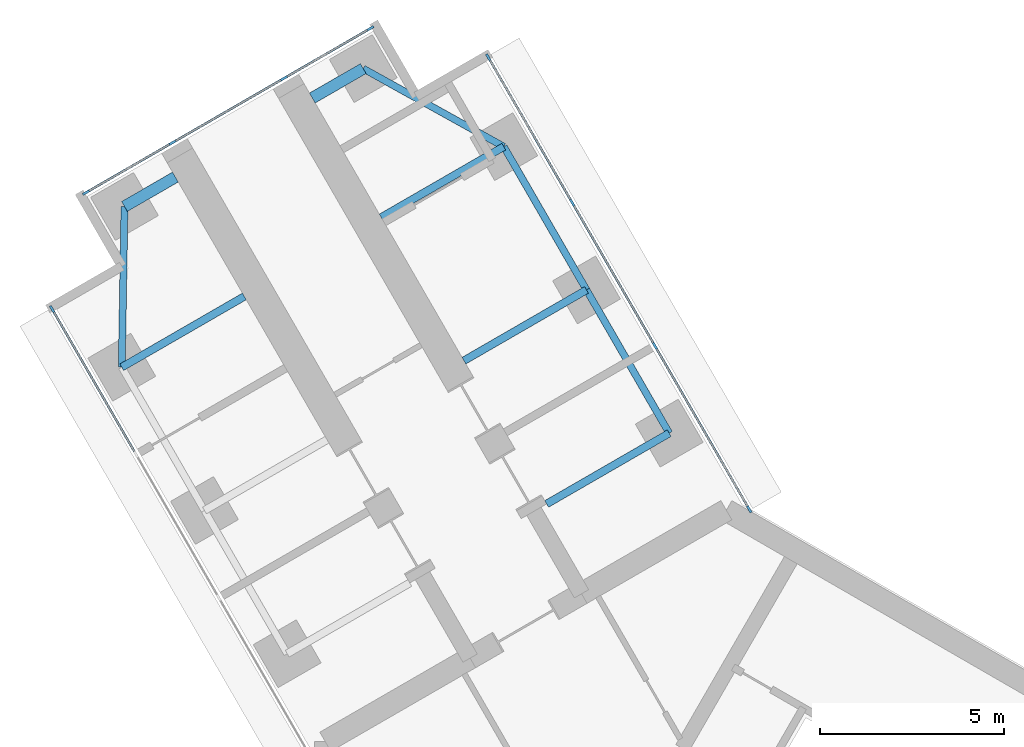
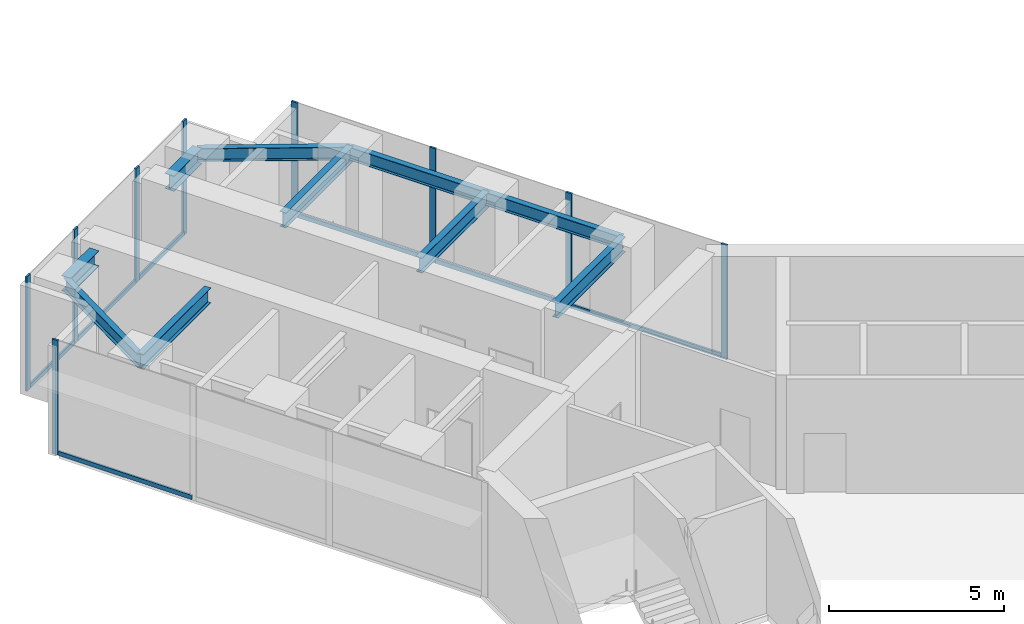
# One storey, part 6 of 21: 16 members, 10 beams, 3 elements without a shape of their own.
"""IFC4 building model written with IfcOpenShell, lengths in metres."""

import ifcopenshell
import ifcopenshell.guid

model = None  # the IFC model being written
_history = None  # IfcOwnerHistory: only IFC2X3 demands one
_inside = {}  # id of a spatial element -> (the spatial element, [elements in it])
_under = {}  # id of a project, library or spatial element -> (it, [spatial elements below it])
_declared = {}  # id of a project -> (the project, [libraries it declares])
_typed = {}  # id of a type object -> (the type object, [elements of that type])
_made_of = {}  # id of a material, layer set ... -> (it, [elements and type objects made of it])


def new_model(schema):
    """Start an empty IFC model of exactly this schema.

    Asked for "IFC4X3", IfcOpenShell would pick the latest addendum, in which some entities
    have other attributes; the version numbers below select the first issue.
    IFC2X3 requires an IfcOwnerHistory on every rooted entity: one is made here for all.
    """
    global model, _history
    if schema == "IFC4X3":
        model = ifcopenshell.file(schema_version=(4, 3, 0, 0))
    else:
        model = ifcopenshell.file(schema=schema)
    _inside.clear()
    _under.clear()
    _declared.clear()
    _typed.clear()
    _made_of.clear()
    _history = None
    if model.schema == "IFC2X3":
        org = make("IfcOrganization", Name="unknown")
        user = make(
            "IfcPersonAndOrganization",
            ThePerson=make("IfcPerson", FamilyName="unknown"),
            TheOrganization=org,
        )
        app = make(
            "IfcApplication",
            ApplicationDeveloper=org,
            Version="unknown",
            ApplicationFullName="unknown",
            ApplicationIdentifier="unknown",
        )
        _history = make(
            "IfcOwnerHistory",
            OwningUser=user,
            OwningApplication=app,
            ChangeAction="ADDED",
            CreationDate=0,
        )
    return model


def make(cls, **values):
    """One entity of the class cls with the attributes given. An attribute that is None is left unset."""
    return model.create_entity(
        cls, **{name: value for name, value in values.items() if value is not None}
    )


def rooted(cls, **values):
    """An entity with a GlobalId (a new one), such as an element, a storey or a relation."""
    return make(cls, GlobalId=ifcopenshell.guid.new(), OwnerHistory=_history, **values)


def si_unit(unit_type, name, prefix=None):
    """IfcSIUnit, for example si_unit("LENGTHUNIT", "METRE", prefix="MILLI")."""
    return make("IfcSIUnit", UnitType=unit_type, Prefix=prefix, Name=name)


def assignment(units):
    """IfcUnitAssignment: the units of a project."""
    return None if units is None else make("IfcUnitAssignment", Units=units)


def point(xyz):
    """IfcCartesianPoint."""
    return None if xyz is None else make("IfcCartesianPoint", Coordinates=xyz)


def direction(xyz):
    """IfcDirection."""
    return None if xyz is None else make("IfcDirection", DirectionRatios=xyz)


def frame(location, z_axis=None, x_axis=None):
    """IfcAxis2Placement3D, a coordinate frame: its origin and axes. An axis left out is left unset."""
    return make(
        "IfcAxis2Placement3D",
        Location=point(location),
        Axis=direction(z_axis),
        RefDirection=direction(x_axis),
    )


def frame_2d(location, x_axis=None):
    """IfcAxis2Placement2D, a coordinate frame in the plane: its origin and x axis."""
    return make(
        "IfcAxis2Placement2D", Location=point(location), RefDirection=direction(x_axis)
    )


def origin():
    """The frame at (0, 0, 0) with its axes left unset."""
    return frame((0.0, 0.0, 0.0))


def origin_2d():
    """The frame at (0, 0) in the plane with its x axis left unset."""
    return frame_2d((0.0, 0.0))


def place(relative_to, where):
    """IfcLocalPlacement: puts the frame where relative to a parent placement (None: the world)."""
    return make(
        "IfcLocalPlacement", PlacementRelTo=relative_to, RelativePlacement=where
    )


def context(
    kind, dimensions, precision=None, world=None, true_north=None, identifier=None
):
    """IfcGeometricRepresentationContext, for example the 3D "Model" context."""
    return make(
        "IfcGeometricRepresentationContext",
        ContextIdentifier=identifier,
        ContextType=kind,
        CoordinateSpaceDimension=dimensions,
        Precision=precision,
        WorldCoordinateSystem=world,
        TrueNorth=true_north,
    )


def subcontext(parent, identifier, kind, view, scale=None):
    """IfcGeometricRepresentationSubContext, for example "Body" below "Model"."""
    return make(
        "IfcGeometricRepresentationSubContext",
        ContextIdentifier=identifier,
        ContextType=kind,
        ParentContext=parent,
        TargetScale=scale,
        TargetView=view,
    )


def project(units=None, contexts=None):
    """IfcProject with its units and contexts."""
    return rooted(
        "IfcProject",
        Name="project",
        RepresentationContexts=contexts,
        UnitsInContext=assignment(units),
    )


def spatial(cls, under=None, at=None, **own):
    """A site, building, storey or space (cls), placed at a placement, below another one or the project."""
    s = rooted(cls, ObjectPlacement=at, **own)
    if under is not None:
        _under.setdefault(under.id(), (under, []))[1].append(s)
    return s


def profile(cls, at=None, kind="AREA", **sizes):
    """A parametric profile (cls). Its sizes go by their IFC names, for example OverallWidth=200.0."""
    return make(cls, ProfileType=kind, Position=at, **sizes)


def rectangle(**sizes):
    """IfcRectangleProfileDef."""
    return profile("IfcRectangleProfileDef", **sizes)


def i_section(**sizes):
    """IfcIShapeProfileDef."""
    return profile("IfcIShapeProfileDef", **sizes)


def extrude(swept, where, along, depth):
    """IfcExtrudedAreaSolid: the profile swept, set in the frame where, extruded along a direction by depth."""
    return make(
        "IfcExtrudedAreaSolid",
        SweptArea=swept,
        Position=where,
        ExtrudedDirection=direction(along),
        Depth=depth,
    )


def shape(context_of_items, identifier, shape_type, items):
    """IfcShapeRepresentation: the items that make up one representation, for example the "Body"."""
    return make(
        "IfcShapeRepresentation",
        ContextOfItems=context_of_items,
        RepresentationIdentifier=identifier,
        RepresentationType=shape_type,
        Items=items,
    )


def material(Name=None, Category=None):
    """IfcMaterial."""
    return make("IfcMaterial", Name=Name, Category=Category)


def material_profile(
    of_material, cross_section, Name=None, Category=None, Priority=None
):
    """IfcMaterialProfile: a cross section and its material."""
    return make(
        "IfcMaterialProfile",
        Name=Name,
        Material=of_material,
        Profile=cross_section,
        Priority=Priority,
        Category=Category,
    )


def profile_set(profiles, Name=None, composite=None):
    """IfcMaterialProfileSet."""
    return make(
        "IfcMaterialProfileSet",
        Name=Name,
        MaterialProfiles=profiles,
        CompositeProfile=composite,
    )


def made_of(thing, what):
    """Note that an element or type object is made of a material, layer set ...; save() writes the relation."""
    if what is not None:
        _made_of.setdefault(what.id(), (what, []))[1].append(thing)
    return thing


def type_object(cls, material=None, **own):
    """A type object (cls), such as IfcWallType, which elements share."""
    return made_of(rooted(cls, **own), material)


def element(
    cls,
    number,
    at=None,
    inside=None,
    cuts=None,
    type_object=None,
    material=None,
    context=None,
    identifier="Body",
    shape_type=None,
    held_by="IfcProductDefinitionShape",
    body=None,
    shapes=None,
    **own,
):
    """One element of the class cls, such as IfcWall. Its Tag is "e" and its number.

    at: its placement. inside: the storey or other place that contains it. cuts: it is an
    opening in that element (IfcRelVoidsElement). A single representation is given by context,
    identifier, shape_type and body (its items); several are given by shapes. held_by: the class
    of the entity that holds the representations. save() writes the other relations.
    """
    e = rooted(cls, Tag="e%d" % number, ObjectPlacement=at, **own)
    if body is not None:
        shapes = [shape(context, identifier, shape_type, body)]
    if shapes is not None:
        e.Representation = make(held_by, Representations=shapes)
    if inside is not None:
        _inside.setdefault(inside.id(), (inside, []))[1].append(e)
    if cuts is not None:
        rooted(
            "IfcRelVoidsElement", RelatingBuildingElement=cuts, RelatedOpeningElement=e
        )
    if type_object is not None:
        _typed.setdefault(type_object.id(), (type_object, []))[1].append(e)
    return made_of(e, material)


def aggregate(whole, parts):
    """IfcRelAggregates: a whole, such as a stair, and the parts it consists of."""
    return rooted("IfcRelAggregates", RelatingObject=whole, RelatedObjects=parts)


def save(model, path):
    """Write the relations noted so far, then the file.

    IfcRelAggregates (storeys below a building ...), IfcRelContainedInSpatialStructure (elements
    in a storey), IfcRelDefinesByType, IfcRelAssociatesMaterial and IfcRelDeclares: one each for
    every whole, place, type object, material and project.
    """
    for whole, parts in _under.values():
        aggregate(whole, parts)
    for where, things in _inside.values():
        rooted(
            "IfcRelContainedInSpatialStructure",
            RelatedElements=things,
            RelatingStructure=where,
        )
    for kind, things in _typed.values():
        rooted("IfcRelDefinesByType", RelatedObjects=things, RelatingType=kind)
    for what, things in _made_of.values():
        rooted("IfcRelAssociatesMaterial", RelatedObjects=things, RelatingMaterial=what)
    for by, libraries in _declared.values():
        rooted("IfcRelDeclares", RelatingContext=by, RelatedDefinitions=libraries)
    model.write(path)


model = new_model("IFC4")

# Units and contexts
model_context = context("Model", 3, precision=1e-05, world=origin(), true_north=direction((0.0, 1.0)))
body_context = subcontext(model_context, "Body", "Model", "MODEL_VIEW")
ifc_project = project(units=[si_unit("LENGTHUNIT", "METRE"), si_unit("AREAUNIT", "SQUARE_METRE"), si_unit("VOLUMEUNIT", "CUBIC_METRE"), si_unit("PLANEANGLEUNIT", "RADIAN"), si_unit("MASSUNIT", "GRAM", prefix="KILO")], contexts=[model_context])

# Site, building, storey
site_placement = place(None, origin())
site = spatial("IfcSite", under=ifc_project, at=site_placement, CompositionType="ELEMENT")
building_placement = place(site_placement, origin())
building = spatial("IfcBuilding", under=site, at=building_placement, Name="Upepo Twin Towers", CompositionType="ELEMENT")
storey_placement = place(building_placement, frame((0.0, 0.0, 113.5)))
storey = spatial("IfcBuildingStorey", under=building, at=storey_placement, Name="L27", CompositionType="ELEMENT", Elevation=113.5)

# Beams
ifc_material_1 = material(Name="Steel S355", Category="steel")
ifc_material_profile_1 = material_profile(ifc_material_1, i_section(OverallWidth=0.1904296875, OverallDepth=0.45703125, WebThickness=0.009033203125, FlangeThickness=0.014404296875, FilletRadius=0.01025390625, at=origin_2d()), Name="UB 457x191x74")
ifc_profile_set_1 = profile_set([ifc_material_profile_1], Name="Steel S355")
beam_type_1 = type_object("IfcBeamType", Name="Beam UB 457x191x74", PredefinedType="BEAM", material=ifc_profile_set_1)
beam_1_placement = place(storey_placement, frame((-16.446044921875, 16.485595703125, 3.571533203125), z_axis=(0.016803880528, 0.999858804832, 0.0), x_axis=(-0.999858804832, 0.016803880528, 0.0)))
element("IfcBeam", 1, at=beam_1_placement, inside=storey, type_object=beam_type_1, Name="T1 nose edge beam BL", PredefinedType="BEAM", context=body_context, shape_type="SweptSolid", body=[
    extrude(i_section(OverallWidth=0.1904296875, OverallDepth=0.45703125, WebThickness=0.009033203125, FlangeThickness=0.014404296875, FilletRadius=0.01025390625, at=origin_2d()), origin(), (0.0, 0.0, 1.0), 4.373291015625),
])
beam_2_placement = place(storey_placement, frame((-1.553955078125, 14.69140625, 3.571533203125), z_axis=(-0.500013631625, 0.866017533419, 0.0), x_axis=(-0.866017533419, -0.500013631625, 0.0)))
element("IfcBeam", 2, at=beam_2_placement, inside=storey, type_object=beam_type_1, Name="T1 edge beam BR 13.5-18.0", PredefinedType="BEAM", context=body_context, shape_type="SweptSolid", body=[
    extrude(i_section(OverallWidth=0.1904296875, OverallDepth=0.45703125, WebThickness=0.009033203125, FlangeThickness=0.014404296875, FilletRadius=0.01025390625, at=origin_2d()), origin(), (0.0, 0.0, 1.0), 4.499755859375),
])
beam_3_placement = place(storey_placement, frame((-3.803955078125, 18.58837890625, 3.571533203125), z_axis=(-0.499990139034, 0.866031096941, 0.0), x_axis=(-0.866031096941, -0.499990139034, 0.0)))
element("IfcBeam", 3, at=beam_3_placement, inside=storey, type_object=beam_type_1, Name="T1 edge beam BR 18.0-22.5", PredefinedType="BEAM", context=body_context, shape_type="SweptSolid", body=[
    extrude(i_section(OverallWidth=0.1904296875, OverallDepth=0.45703125, WebThickness=0.009033203125, FlangeThickness=0.014404296875, FilletRadius=0.01025390625, at=origin_2d()), origin(), (0.0, 0.0, 1.0), 4.5),
])
beam_4_placement = place(storey_placement, frame((-6.053955078125, 22.485595703125, 3.571533203125), z_axis=(-0.874312600038, 0.485363242752, 0.0), x_axis=(-0.485363242752, -0.874312600038, 0.0)))
element("IfcBeam", 4, at=beam_4_placement, inside=storey, type_object=beam_type_1, Name="T1 nose edge beam BR", PredefinedType="BEAM", context=body_context, shape_type="SweptSolid", body=[
    extrude(i_section(OverallWidth=0.1904296875, OverallDepth=0.45703125, WebThickness=0.009033203125, FlangeThickness=0.014404296875, FilletRadius=0.01025390625, at=origin_2d()), origin(), (0.0, 0.0, 1.0), 4.373046875),
])
ifc_material_2 = material(Name="Steel S355", Category="steel")
ifc_material_profile_2 = material_profile(ifc_material_2, i_section(OverallWidth=0.209228515625, OverallDepth=0.533203125, WebThickness=0.010009765625, FlangeThickness=0.015625, FilletRadius=0.0126953125, at=origin_2d()), Name="UB 533x210x92")
ifc_profile_set_2 = profile_set([ifc_material_profile_2], Name="Steel S355")
beam_type_2 = type_object("IfcBeamType", Name="Beam UB 533x210x92", PredefinedType="BEAM", material=ifc_profile_set_2)
for number, where, z_axis, x_axis, name in (
    (5, (-16.446044921875, 16.485595703125, 3.533447265625), (0.866006051527, 0.500033517596, 0.0), (-0.500033517596, 0.866006051527, 0.0), "T1 girder BL at 22.5"),
    (6, (-1.553955078125, 14.69140625, 3.533447265625), (-0.866006051527, -0.500033517596, 0.0), (0.500033517596, -0.866006051527, 0.0), "T1 girder BR at 13.5"),
):
    element("IfcBeam", number, at=place(storey_placement, frame(where, z_axis=z_axis, x_axis=x_axis)), inside=storey, type_object=beam_type_2, Name=name, PredefinedType="BEAM", context=body_context, shape_type="SweptSolid", body=[
        extrude(i_section(OverallWidth=0.209228515625, OverallDepth=0.533203125, WebThickness=0.010009765625, FlangeThickness=0.015625, FilletRadius=0.0126953125, at=origin_2d()), origin(), (0.0, 0.0, 1.0), 3.849853515625),
    ])
beam_5_placement = place(storey_placement, frame((-3.803955078125, 18.58837890625, 3.533447265625), z_axis=(-0.866033512162, -0.499985955615, 0.0), x_axis=(0.499985955615, -0.866033512162, 0.0)))
element("IfcBeam", 7, at=beam_5_placement, inside=storey, type_object=beam_type_2, Name="T1 girder BR at 18.0", PredefinedType="BEAM", context=body_context, shape_type="SweptSolid", body=[
    extrude(i_section(OverallWidth=0.209228515625, OverallDepth=0.533203125, WebThickness=0.010009765625, FlangeThickness=0.015625, FilletRadius=0.0126953125, at=origin_2d()), origin(), (0.0, 0.0, 1.0), 3.849609375),
])
beam_6_placement = place(storey_placement, frame((-6.053955078125, 22.485595703125, 3.533447265625), z_axis=(-0.866006051527, -0.500033517596, 0.0), x_axis=(0.500033517596, -0.866006051527, 0.0)))
element("IfcBeam", 8, at=beam_6_placement, inside=storey, type_object=beam_type_2, Name="T1 girder BR at 22.5", PredefinedType="BEAM", context=body_context, shape_type="SweptSolid", body=[
    extrude(i_section(OverallWidth=0.209228515625, OverallDepth=0.533203125, WebThickness=0.010009765625, FlangeThickness=0.015625, FilletRadius=0.0126953125, at=origin_2d()), origin(), (0.0, 0.0, 1.0), 3.849853515625),
])
ifc_material_3 = material(Name="Steel S355", Category="steel")
ifc_material_profile_3 = material_profile(ifc_material_3, i_section(OverallWidth=0.31201171875, OverallDepth=0.54345703125, WebThickness=0.0126953125, FlangeThickness=0.020263671875, FilletRadius=0.0126953125, at=origin_2d()), Name="UB 533x312x150")
ifc_profile_set_3 = profile_set([ifc_material_profile_3], Name="Steel S355")
beam_type_3 = type_object("IfcBeamType", Name="Beam UB 533x312x150", PredefinedType="BEAM", material=ifc_profile_set_3)
for number, where, z_axis, x_axis, name in (
    (9, (-16.37255859375, 20.858154296875, 3.5283203125), (0.865989903783, 0.500061482766, 0.0), (-0.500061482766, 0.865989903783, 0.0), "T1 nose beam BL"),
    (10, (-9.87744140625, 24.608154296875, 3.5283203125), (-0.865989903783, -0.500061482766, 0.0), (0.500061482766, -0.865989903783, 0.0), "T1 nose beam BR"),
):
    element("IfcBeam", number, at=place(storey_placement, frame(where, z_axis=z_axis, x_axis=x_axis)), inside=storey, type_object=beam_type_3, Name=name, PredefinedType="BEAM", context=body_context, shape_type="SweptSolid", body=[
        extrude(i_section(OverallWidth=0.31201171875, OverallDepth=0.54345703125, WebThickness=0.0126953125, FlangeThickness=0.020263671875, FilletRadius=0.0126953125, at=origin_2d()), origin(), (0.0, 0.0, 1.0), 1.599853515625),
    ])

# Curtain wall, member
ifc_material_4 = material(Name="Aluminium and fritted glass", Category="aluminium")
curtain_wall_type = type_object("IfcCurtainWallType", Name="Tower curtain wall TW2, fritted glass", PredefinedType="NOTDEFINED", material=ifc_material_4)
curtain_wall_1_placement = place(storey_placement, origin())
curtain_wall_1 = element("IfcCurtainWall", 11, at=curtain_wall_1_placement, inside=storey, type_object=curtain_wall_type, Name="T1 L27 wing B flank L curtain wall", PredefinedType="NOTDEFINED")
ifc_material_5 = material(Name="Aluminium mullion", Category="aluminium")
ifc_material_profile_4 = material_profile(ifc_material_5, rectangle(XDim=0.06494140625, YDim=0.199951171875, at=origin_2d()), Name="MULLION 65x200")
ifc_profile_set_4 = profile_set([ifc_material_profile_4], Name="Aluminium mullion")
member_type_1 = type_object("IfcMemberType", Name="Mullion 65x200 TW2", PredefinedType="MULLION", material=ifc_profile_set_4)
member_1_placement = place(storey_placement, frame((-18.341064453125, 18.067626953125, 0.0), z_axis=(0.0, 0.0, 1.0), x_axis=(-0.866025397833, -0.500000010308, 0.0)))
member_1 = element("IfcMember", 12, at=member_1_placement, type_object=member_type_1, Name="T1 L27 wing B flank L curtain wall mullion 4", PredefinedType="MULLION", context=body_context, shape_type="SweptSolid", body=[
    extrude(rectangle(XDim=0.06494140625, YDim=0.199951171875, at=origin_2d()), origin(), (0.0, 0.0, 1.0), 4.0),
])

# Curtain wall, members
curtain_wall_2_placement = place(storey_placement, origin())
curtain_wall_2 = element("IfcCurtainWall", 13, at=curtain_wall_2_placement, inside=storey, type_object=curtain_wall_type, Name="T1 L27 wing B flank R curtain wall", PredefinedType="NOTDEFINED")
member_2_placement = place(storey_placement, frame((-6.4765625, 24.91748046875, 0.0), z_axis=(0.0, 0.0, 1.0), x_axis=(0.866025397833, 0.500000010308, 0.0)))
member_2 = element("IfcMember", 14, at=member_2_placement, type_object=member_type_1, Name="T1 L27 wing B flank R curtain wall mullion 1", PredefinedType="MULLION", context=body_context, shape_type="SweptSolid", body=[
    extrude(rectangle(XDim=0.06494140625, YDim=0.199951171875, at=origin_2d()), origin(), (0.0, 0.0, 1.0), 4.0),
])
member_3_placement = place(storey_placement, frame((-4.192626953125, 20.9619140625, 0.0), z_axis=(0.0, 0.0, 1.0), x_axis=(0.866025397833, 0.500000010308, 0.0)))
member_3 = element("IfcMember", 15, at=member_3_placement, type_object=member_type_1, Name="T1 L27 wing B flank R curtain wall mullion 2", PredefinedType="MULLION", context=body_context, shape_type="SweptSolid", body=[
    extrude(rectangle(XDim=0.06494140625, YDim=0.199951171875, at=origin_2d()), origin(), (0.0, 0.0, 1.0), 4.0),
])
member_4_placement = place(storey_placement, frame((-1.942626953125, 17.06494140625, 0.0), z_axis=(0.0, 0.0, 1.0), x_axis=(0.866025397833, 0.500000010308, 0.0)))
member_4 = element("IfcMember", 16, at=member_4_placement, type_object=member_type_1, Name="T1 L27 wing B flank R curtain wall mullion 3", PredefinedType="MULLION", context=body_context, shape_type="SweptSolid", body=[
    extrude(rectangle(XDim=0.06494140625, YDim=0.199951171875, at=origin_2d()), origin(), (0.0, 0.0, 1.0), 4.0),
])
member_5_placement = place(storey_placement, frame((0.62255859375, 12.621826171875, 0.0), z_axis=(0.0, 0.0, 1.0), x_axis=(0.866025397833, 0.500000010308, 0.0)))
member_5 = element("IfcMember", 17, at=member_5_placement, type_object=member_type_1, Name="T1 L27 wing B flank R curtain wall mullion 4", PredefinedType="MULLION", context=body_context, shape_type="SweptSolid", body=[
    extrude(rectangle(XDim=0.06494140625, YDim=0.199951171875, at=origin_2d()), origin(), (0.0, 0.0, 1.0), 4.0),
])

curtain_wall_3_placement = place(storey_placement, origin())
curtain_wall_3 = element("IfcCurtainWall", 18, at=curtain_wall_3_placement, inside=storey, type_object=curtain_wall_type, Name="T1 L27 wing B nose curtain wall", PredefinedType="NOTDEFINED")
member_6_placement = place(storey_placement, frame((-9.68115234375, 25.703125, 0.0), z_axis=(0.0, 0.0, 1.0), x_axis=(0.500000030502, -0.866025386174, 0.0)))
member_6 = element("IfcMember", 19, at=member_6_placement, type_object=member_type_1, Name="T1 L27 wing B nose curtain wall mullion 1", PredefinedType="MULLION", context=body_context, shape_type="SweptSolid", body=[
    extrude(rectangle(XDim=0.06494140625, YDim=0.199951171875, at=origin_2d()), origin(), (0.0, 0.0, 1.0), 4.0),
])
member_7_placement = place(storey_placement, frame((-12.034423828125, 24.34423828125, 0.0), z_axis=(0.0, 0.0, 1.0), x_axis=(0.500000030502, -0.866025386174, 0.0)))
member_7 = element("IfcMember", 20, at=member_7_placement, type_object=member_type_1, Name="T1 L27 wing B nose curtain wall mullion 2", PredefinedType="MULLION", context=body_context, shape_type="SweptSolid", body=[
    extrude(rectangle(XDim=0.06494140625, YDim=0.199951171875, at=origin_2d()), origin(), (0.0, 0.0, 1.0), 4.0),
])
member_8_placement = place(storey_placement, frame((-15.0654296875, 22.59423828125, 0.0), z_axis=(0.0, 0.0, 1.0), x_axis=(0.500000030502, -0.866025386174, 0.0)))
member_8 = element("IfcMember", 21, at=member_8_placement, type_object=member_type_1, Name="T1 L27 wing B nose curtain wall mullion 3", PredefinedType="MULLION", context=body_context, shape_type="SweptSolid", body=[
    extrude(rectangle(XDim=0.06494140625, YDim=0.199951171875, at=origin_2d()), origin(), (0.0, 0.0, 1.0), 4.0),
])
member_9_placement = place(storey_placement, frame((-17.4189453125, 21.235595703125, 0.0), z_axis=(0.0, 0.0, 1.0), x_axis=(0.500000030502, -0.866025386174, 0.0)))
member_9 = element("IfcMember", 22, at=member_9_placement, type_object=member_type_1, Name="T1 L27 wing B nose curtain wall mullion 4", PredefinedType="MULLION", context=body_context, shape_type="SweptSolid", body=[
    extrude(rectangle(XDim=0.06494140625, YDim=0.199951171875, at=origin_2d()), origin(), (0.0, 0.0, 1.0), 4.0),
])

# Member
ifc_material_6 = material(Name="Aluminium transom", Category="aluminium")
ifc_material_profile_5 = material_profile(ifc_material_6, rectangle(XDim=0.06494140625, YDim=0.14990234375, at=origin_2d()), Name="TRANSOM 65x150")
ifc_profile_set_5 = profile_set([ifc_material_profile_5], Name="Aluminium transom")
member_type_2 = type_object("IfcMemberType", Name="Transom 65x150 TW2", PredefinedType="USERDEFINED", material=ifc_profile_set_5)
member_10_placement = place(storey_placement, frame((-16.073486328125, 14.14013671875, 0.074951171875), z_axis=(-0.499982167615, 0.866035699072, 0.0), x_axis=(-0.866035699072, -0.499982167615, 0.0)))
member_10 = element("IfcMember", 23, at=member_10_placement, type_object=member_type_2, Name="T1 L27 wing B flank L curtain wall transom 3", ObjectType="TRANSOM", PredefinedType="USERDEFINED", context=body_context, shape_type="SweptSolid", body=[
    extrude(rectangle(XDim=0.06494140625, YDim=0.14990234375, at=origin_2d()), origin(), (0.0, 0.0, 1.0), 4.502685546875),
])

aggregate(curtain_wall_1, [member_1, member_10])

member_11_placement = place(storey_placement, frame((-6.460205078125, 24.889404296875, 0.074951171875), z_axis=(0.500005646842, -0.866022143554, 0.0), x_axis=(0.866022143554, 0.500005646842, 0.0)))
member_11 = element("IfcMember", 24, at=member_11_placement, type_object=member_type_2, Name="T1 L27 wing B flank R curtain wall transom 1", ObjectType="TRANSOM", PredefinedType="USERDEFINED", context=body_context, shape_type="SweptSolid", body=[
    extrude(rectangle(XDim=0.06494140625, YDim=0.14990234375, at=origin_2d()), origin(), (0.0, 0.0, 1.0), 4.50244140625),
])

member_12_placement = place(storey_placement, frame((-4.176513671875, 20.933837890625, 0.074951171875), z_axis=(0.500005184116, -0.866022410713, 0.0), x_axis=(0.866022410713, 0.500005184116, 0.0)))
member_12 = element("IfcMember", 25, at=member_12_placement, type_object=member_type_2, Name="T1 L27 wing B flank R curtain wall transom 2", ObjectType="TRANSOM", PredefinedType="USERDEFINED", context=body_context, shape_type="SweptSolid", body=[
    extrude(rectangle(XDim=0.06494140625, YDim=0.14990234375, at=origin_2d()), origin(), (0.0, 0.0, 1.0), 4.43505859375),
])

member_13_placement = place(storey_placement, frame((-1.926513671875, 17.036865234375, 0.074951171875), z_axis=(0.499985288567, -0.866033897268, 0.0), x_axis=(0.866033897268, 0.499985288567, 0.0)))
member_13 = element("IfcMember", 26, at=member_13_placement, type_object=member_type_2, Name="T1 L27 wing B flank R curtain wall transom 3", ObjectType="TRANSOM", PredefinedType="USERDEFINED", context=body_context, shape_type="SweptSolid", body=[
    extrude(rectangle(XDim=0.06494140625, YDim=0.14990234375, at=origin_2d()), origin(), (0.0, 0.0, 1.0), 5.065673828125),
])

aggregate(curtain_wall_2, [member_2, member_3, member_4, member_5, member_11, member_12, member_13])

member_14_placement = place(storey_placement, frame((-9.709228515625, 25.686767578125, 0.074951171875), z_axis=(-0.866036909293, -0.499980071345, 0.0), x_axis=(0.499980071345, -0.866036909293, 0.0)))
member_14 = element("IfcMember", 27, at=member_14_placement, type_object=member_type_2, Name="T1 L27 wing B nose curtain wall transom 1", ObjectType="TRANSOM", PredefinedType="USERDEFINED", context=body_context, shape_type="SweptSolid", body=[
    extrude(rectangle(XDim=0.06494140625, YDim=0.14990234375, at=origin_2d()), origin(), (0.0, 0.0, 1.0), 2.65234375),
])

member_15_placement = place(storey_placement, frame((-12.0625, 24.328125, 0.074951171875), z_axis=(-0.866025804792, -0.499999305434, 0.0), x_axis=(0.499999305434, -0.866025804792, 0.0)))
member_15 = element("IfcMember", 28, at=member_15_placement, type_object=member_type_2, Name="T1 L27 wing B nose curtain wall transom 2", ObjectType="TRANSOM", PredefinedType="USERDEFINED", context=body_context, shape_type="SweptSolid", body=[
    extrude(rectangle(XDim=0.06494140625, YDim=0.14990234375, at=origin_2d()), origin(), (0.0, 0.0, 1.0), 3.43505859375),
])

member_16_placement = place(storey_placement, frame((-15.09375, 22.578125, 0.074951171875), z_axis=(-0.865997053448, -0.500049101008, 0.0), x_axis=(0.500049101008, -0.865997053448, 0.0)))
member_16 = element("IfcMember", 29, at=member_16_placement, type_object=member_type_2, Name="T1 L27 wing B nose curtain wall transom 3", ObjectType="TRANSOM", PredefinedType="USERDEFINED", context=body_context, shape_type="SweptSolid", body=[
    extrude(rectangle(XDim=0.06494140625, YDim=0.14990234375, at=origin_2d()), origin(), (0.0, 0.0, 1.0), 2.652587890625),
])

aggregate(curtain_wall_3, [member_6, member_7, member_8, member_9, member_14, member_15, member_16])

save(model, "model.ifc")
